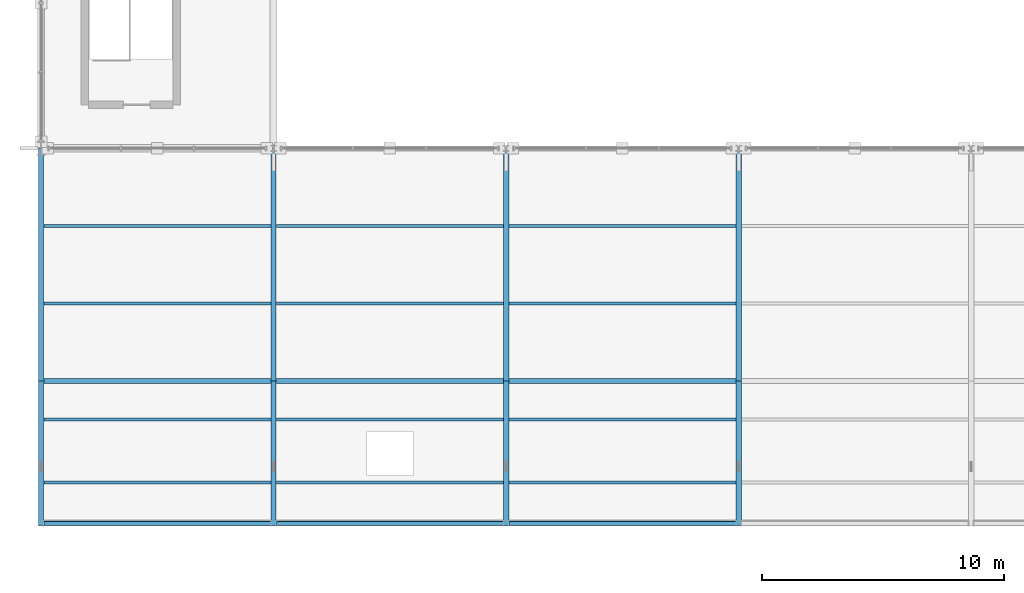
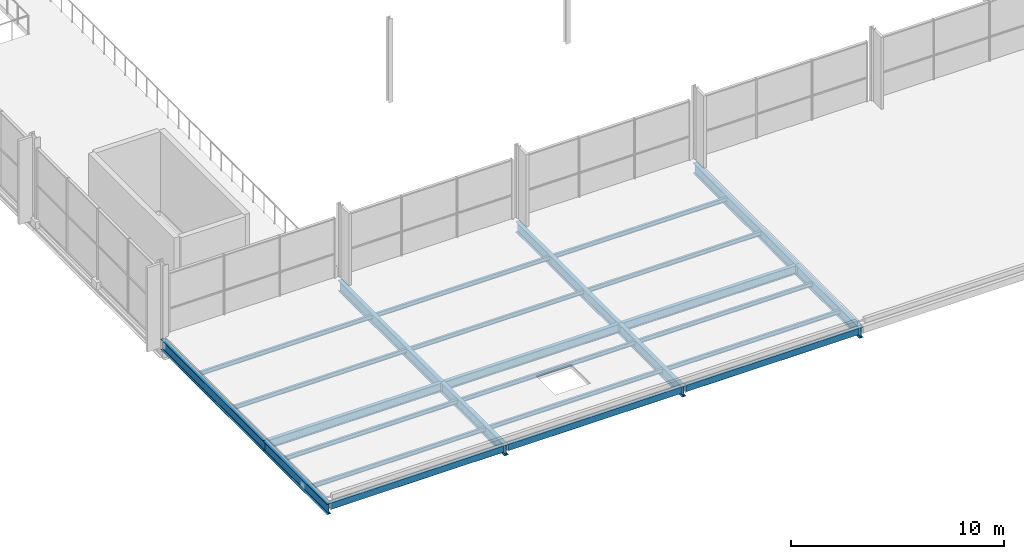
# One storey, part 22 of 159: 26 beams.
"""IFC4 building model written with IfcOpenShell, lengths in metres."""

from ifc_helpers import new_model, si_unit, direction, frame, origin, origin_2d, place, context, subcontext, project, spatial, hollow_rectangle, i_section, extrude, material, material_profile, profile_set, type_object, element, save


model = new_model("IFC4")

# Units and contexts
model_context = context("Model", 3, precision=1e-05, world=origin(), true_north=direction((0.0, 1.0)))
body_context = subcontext(model_context, "Body", "Model", "MODEL_VIEW")
ifc_project = project(units=[si_unit("LENGTHUNIT", "METRE"), si_unit("AREAUNIT", "SQUARE_METRE"), si_unit("VOLUMEUNIT", "CUBIC_METRE"), si_unit("PLANEANGLEUNIT", "RADIAN"), si_unit("MASSUNIT", "GRAM", prefix="KILO")], contexts=[model_context])

# Site, building, storey
site_placement = place(None, origin())
site = spatial("IfcSite", under=ifc_project, at=site_placement, CompositionType="ELEMENT")
building_placement = place(site_placement, origin())
building = spatial("IfcBuilding", under=site, at=building_placement, Name="Merenkruunu Market Hall", CompositionType="ELEMENT")
storey_placement = place(building_placement, frame((0.0, 0.0, 5.39990234375)))
storey = spatial("IfcBuildingStorey", under=building, at=storey_placement, Name="L01", CompositionType="ELEMENT", Elevation=5.39990234375)

# Beams
ifc_material_1 = material(Name="Steel S355ML", Category="steel")
ifc_material_profile_1 = material_profile(ifc_material_1, hollow_rectangle(XDim=0.199951171875, YDim=0.39990234375, WallThickness=0.01611328125, InnerFilletRadius=0.01611328125, OuterFilletRadius=0.031982421875, at=origin_2d()), Name="RHS 400x200x16")
ifc_profile_set_1 = profile_set([ifc_material_profile_1], Name="Steel S355ML")
beam_type_1 = type_object("IfcBeamType", Name="Perimeter Spandrel Beam SP01", PredefinedType="SPANDREL", material=ifc_profile_set_1)
for number, where, z_axis, x_axis, name in (
    (1, (0.113037109375, 0.1201171875, 0.239990234375), (1.0, 0.0, 0.0), (0.0, 1.0, 0.0), "BM-L01-SP01-1095"),
    (2, (9.712890625, 0.1201171875, 0.239990234375), (1.0, 0.0, 0.0), (0.0, 1.0, 0.0), "BM-L01-SP01-1101"),
    (3, (19.31298828125, 0.1201171875, 0.239990234375), (1.0, 0.0, 0.0), (0.0, 1.0, 0.0), "BM-L01-SP01-1107"),
):
    element("IfcBeam", number, at=place(storey_placement, frame(where, z_axis=z_axis, x_axis=x_axis)), inside=storey, type_object=beam_type_1, Name=name, PredefinedType="SPANDREL", context=body_context, shape_type="SweptSolid", body=[
        extrude(hollow_rectangle(XDim=0.199951171875, YDim=0.39990234375, WallThickness=0.01611328125, InnerFilletRadius=0.01611328125, OuterFilletRadius=0.031982421875, at=origin_2d()), origin(), (0.0, 0.0, 1.0), 9.3740234375),
    ])
ifc_material_profile_2 = material_profile(ifc_material_1, i_section(OverallWidth=0.219970703125, OverallDepth=0.60009765625, WebThickness=0.011962890625, FlangeThickness=0.01904296875, FilletRadius=0.02392578125, at=origin_2d()), Name="IPE 600")
ifc_profile_set_2 = profile_set([ifc_material_profile_2], Name="Steel S355ML")
beam_type_2 = type_object("IfcBeamType", Name="Primary Floor Girder B10", PredefinedType="BEAM", material=ifc_profile_set_2)
beam_1_placement = place(storey_placement, frame((0.0, 15.60009765625, 0.14013671875), z_axis=(0.0, -1.0, 0.0), x_axis=(1.0, 0.0, 0.0)))
element("IfcBeam", 4, at=beam_1_placement, inside=storey, type_object=beam_type_2, Name="BM-L01-B10-1064", PredefinedType="BEAM", context=body_context, shape_type="SweptSolid", body=[
    extrude(i_section(OverallWidth=0.219970703125, OverallDepth=0.60009765625, WebThickness=0.011962890625, FlangeThickness=0.01904296875, FilletRadius=0.02392578125, at=origin_2d()), origin(), (0.0, 0.0, 1.0), 9.60009765625),
])
beam_2_placement = place(storey_placement, frame((0.0, 6.0, 0.14013671875), z_axis=(0.0, -1.0, 0.0), x_axis=(1.0, 0.0, 0.0)))
element("IfcBeam", 5, at=beam_2_placement, inside=storey, type_object=beam_type_2, Name="BM-L01-B10-1065", PredefinedType="BEAM", context=body_context, shape_type="SweptSolid", body=[
    extrude(i_section(OverallWidth=0.219970703125, OverallDepth=0.60009765625, WebThickness=0.011962890625, FlangeThickness=0.01904296875, FilletRadius=0.02392578125, at=origin_2d()), origin(), (0.0, 0.0, 1.0), 6.0),
])
beam_3_placement = place(storey_placement, frame((9.60009765625, 15.60009765625, 0.14013671875), z_axis=(0.0, -1.0, 0.0), x_axis=(1.0, 0.0, 0.0)))
element("IfcBeam", 6, at=beam_3_placement, inside=storey, type_object=beam_type_2, Name="BM-L01-B10-1066", PredefinedType="BEAM", context=body_context, shape_type="SweptSolid", body=[
    extrude(i_section(OverallWidth=0.219970703125, OverallDepth=0.60009765625, WebThickness=0.011962890625, FlangeThickness=0.01904296875, FilletRadius=0.02392578125, at=origin_2d()), origin(), (0.0, 0.0, 1.0), 9.60009765625),
])
beam_4_placement = place(storey_placement, frame((9.60009765625, 6.0, 0.14013671875), z_axis=(0.0, -1.0, 0.0), x_axis=(1.0, 0.0, 0.0)))
element("IfcBeam", 7, at=beam_4_placement, inside=storey, type_object=beam_type_2, Name="BM-L01-B10-1067", PredefinedType="BEAM", context=body_context, shape_type="SweptSolid", body=[
    extrude(i_section(OverallWidth=0.219970703125, OverallDepth=0.60009765625, WebThickness=0.011962890625, FlangeThickness=0.01904296875, FilletRadius=0.02392578125, at=origin_2d()), origin(), (0.0, 0.0, 1.0), 6.0),
])
beam_5_placement = place(storey_placement, frame((19.199951171875, 15.60009765625, 0.14013671875), z_axis=(0.0, -1.0, 0.0), x_axis=(1.0, 0.0, 0.0)))
element("IfcBeam", 8, at=beam_5_placement, inside=storey, type_object=beam_type_2, Name="BM-L01-B10-1068", PredefinedType="BEAM", context=body_context, shape_type="SweptSolid", body=[
    extrude(i_section(OverallWidth=0.219970703125, OverallDepth=0.60009765625, WebThickness=0.011962890625, FlangeThickness=0.01904296875, FilletRadius=0.02392578125, at=origin_2d()), origin(), (0.0, 0.0, 1.0), 9.60009765625),
])
beam_6_placement = place(storey_placement, frame((19.199951171875, 6.0, 0.14013671875), z_axis=(0.0, -1.0, 0.0), x_axis=(1.0, 0.0, 0.0)))
element("IfcBeam", 9, at=beam_6_placement, inside=storey, type_object=beam_type_2, Name="BM-L01-B10-1069", PredefinedType="BEAM", context=body_context, shape_type="SweptSolid", body=[
    extrude(i_section(OverallWidth=0.219970703125, OverallDepth=0.60009765625, WebThickness=0.011962890625, FlangeThickness=0.01904296875, FilletRadius=0.02392578125, at=origin_2d()), origin(), (0.0, 0.0, 1.0), 6.0),
])
beam_7_placement = place(storey_placement, frame((28.800048828125, 15.60009765625, 0.14013671875), z_axis=(0.0, -1.0, 0.0), x_axis=(1.0, 0.0, 0.0)))
element("IfcBeam", 10, at=beam_7_placement, inside=storey, type_object=beam_type_2, Name="BM-L01-B10-1070", PredefinedType="BEAM", context=body_context, shape_type="SweptSolid", body=[
    extrude(i_section(OverallWidth=0.219970703125, OverallDepth=0.60009765625, WebThickness=0.011962890625, FlangeThickness=0.01904296875, FilletRadius=0.02392578125, at=origin_2d()), origin(), (0.0, 0.0, 1.0), 9.60009765625),
])
beam_8_placement = place(storey_placement, frame((28.800048828125, 6.0, 0.14013671875), z_axis=(0.0, -1.0, 0.0), x_axis=(1.0, 0.0, 0.0)))
element("IfcBeam", 11, at=beam_8_placement, inside=storey, type_object=beam_type_2, Name="BM-L01-B10-1071", PredefinedType="BEAM", context=body_context, shape_type="SweptSolid", body=[
    extrude(i_section(OverallWidth=0.219970703125, OverallDepth=0.60009765625, WebThickness=0.011962890625, FlangeThickness=0.01904296875, FilletRadius=0.02392578125, at=origin_2d()), origin(), (0.0, 0.0, 1.0), 6.0),
])
ifc_material_2 = material(Name="Steel S355J2", Category="steel")
ifc_material_profile_3 = material_profile(ifc_material_2, i_section(OverallWidth=0.199951171875, OverallDepth=0.5, WebThickness=0.01025390625, FlangeThickness=0.01611328125, FilletRadius=0.02099609375, at=origin_2d()), Name="IPE 500")
ifc_profile_set_3 = profile_set([ifc_material_profile_3], Name="Steel S355J2")
beam_type_3 = type_object("IfcBeamType", Name="Primary Floor Girder B11", PredefinedType="BEAM", material=ifc_profile_set_3)
for number, where, z_axis, x_axis, name in (
    (12, (0.113037109375, 6.0, 0.190185546875), (1.0, 0.0, 0.0), (0.0, 1.0, 0.0), "BM-L01-B11-1094"),
    (13, (9.712890625, 6.0, 0.190185546875), (1.0, 0.0, 0.0), (0.0, 1.0, 0.0), "BM-L01-B11-1100"),
    (14, (19.31298828125, 6.0, 0.190185546875), (1.0, 0.0, 0.0), (0.0, 1.0, 0.0), "BM-L01-B11-1106"),
):
    element("IfcBeam", number, at=place(storey_placement, frame(where, z_axis=z_axis, x_axis=x_axis)), inside=storey, type_object=beam_type_3, Name=name, PredefinedType="BEAM", context=body_context, shape_type="SweptSolid", body=[
        extrude(i_section(OverallWidth=0.199951171875, OverallDepth=0.5, WebThickness=0.01025390625, FlangeThickness=0.01611328125, FilletRadius=0.02099609375, at=origin_2d()), origin(), (0.0, 0.0, 1.0), 9.3740234375),
    ])
ifc_material_profile_4 = material_profile(ifc_material_2, i_section(OverallWidth=0.1201171875, OverallDepth=0.239990234375, WebThickness=0.006103515625, FlangeThickness=0.009765625, FilletRadius=0.014892578125, at=origin_2d()), Name="IPE 240")
ifc_profile_set_4 = profile_set([ifc_material_profile_4], Name="Steel S355J2")
beam_type_4 = type_object("IfcBeamType", Name="Secondary Floor Joist J05", PredefinedType="JOIST", material=ifc_profile_set_4)
for number, where, z_axis, x_axis, name in (
    (15, (0.113037109375, 1.800048828125, 0.320068359375), (1.0, 0.0, 0.0), (0.0, 1.0, 0.0), "BM-L01-J05-1096"),
    (16, (0.113037109375, 4.39990234375, 0.320068359375), (1.0, 0.0, 0.0), (0.0, 1.0, 0.0), "BM-L01-J05-1097"),
    (17, (0.113037109375, 9.199951171875, 0.320068359375), (1.0, 0.0, 0.0), (0.0, 1.0, 0.0), "BM-L01-J05-1098"),
    (18, (0.113037109375, 12.39990234375, 0.320068359375), (1.0, 0.0, 0.0), (0.0, 1.0, 0.0), "BM-L01-J05-1099"),
    (19, (9.712890625, 1.800048828125, 0.320068359375), (1.0, 0.0, 0.0), (0.0, 1.0, 0.0), "BM-L01-J05-1102"),
    (20, (9.712890625, 4.39990234375, 0.320068359375), (1.0, 0.0, 0.0), (0.0, 1.0, 0.0), "BM-L01-J05-1103"),
    (21, (9.712890625, 9.199951171875, 0.320068359375), (1.0, 0.0, 0.0), (0.0, 1.0, 0.0), "BM-L01-J05-1104"),
    (22, (9.712890625, 12.39990234375, 0.320068359375), (1.0, 0.0, 0.0), (0.0, 1.0, 0.0), "BM-L01-J05-1105"),
    (23, (19.31298828125, 1.800048828125, 0.320068359375), (1.0, 0.0, 0.0), (0.0, 1.0, 0.0), "BM-L01-J05-1108"),
    (24, (19.31298828125, 4.39990234375, 0.320068359375), (1.0, 0.0, 0.0), (0.0, 1.0, 0.0), "BM-L01-J05-1109"),
    (25, (19.31298828125, 9.199951171875, 0.320068359375), (1.0, 0.0, 0.0), (0.0, 1.0, 0.0), "BM-L01-J05-1110"),
    (26, (19.31298828125, 12.39990234375, 0.320068359375), (1.0, 0.0, 0.0), (0.0, 1.0, 0.0), "BM-L01-J05-1111"),
):
    element("IfcBeam", number, at=place(storey_placement, frame(where, z_axis=z_axis, x_axis=x_axis)), inside=storey, type_object=beam_type_4, Name=name, PredefinedType="JOIST", context=body_context, shape_type="SweptSolid", body=[
        extrude(i_section(OverallWidth=0.1201171875, OverallDepth=0.239990234375, WebThickness=0.006103515625, FlangeThickness=0.009765625, FilletRadius=0.014892578125, at=origin_2d()), origin(), (0.0, 0.0, 1.0), 9.3740234375),
    ])

save(model, "model.ifc")
